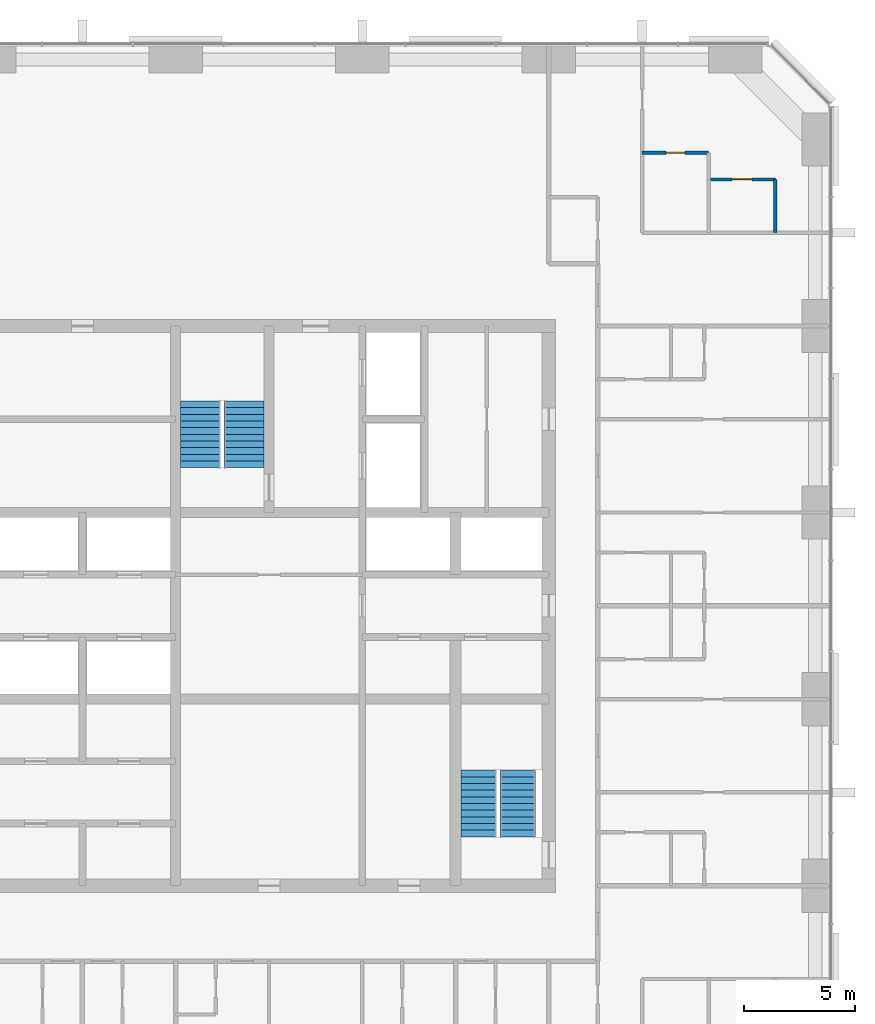
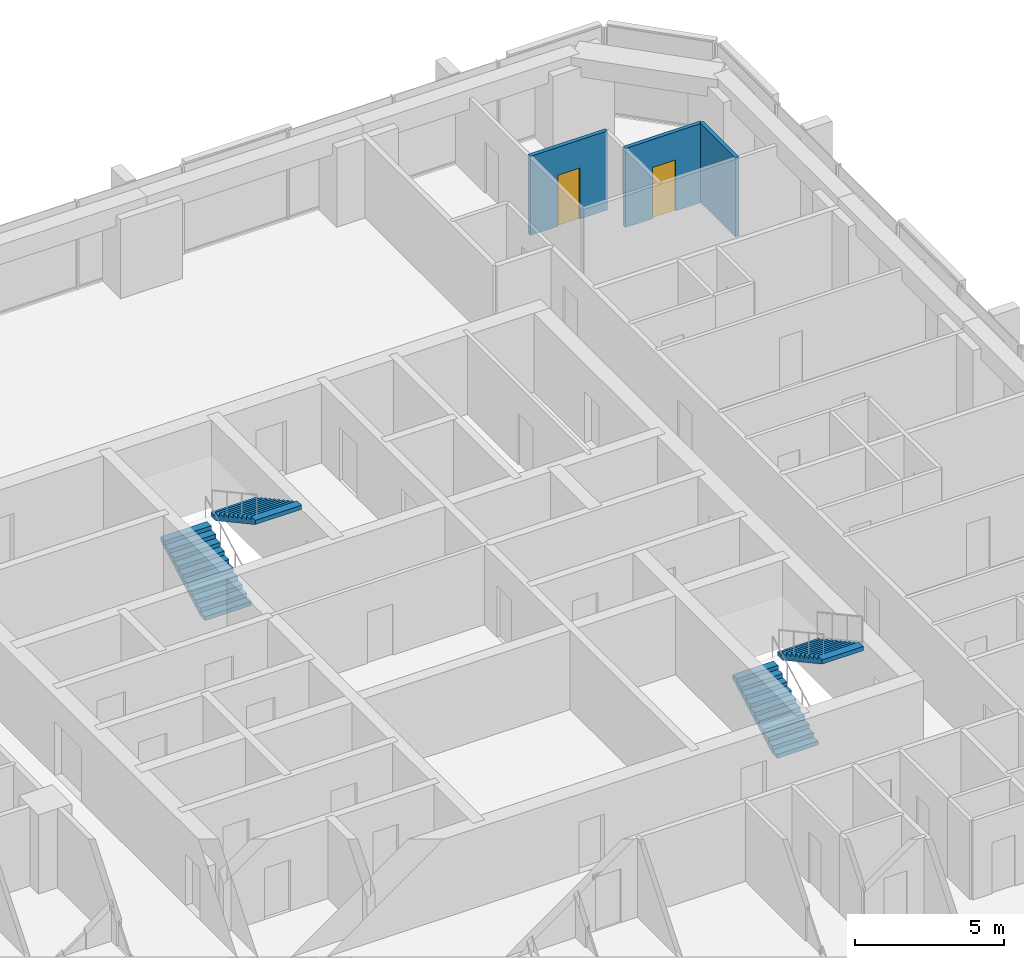
# One storey, part 13 of 14: 4 stair flights, 3 walls, 2 doors, 2 openings, 2 elements without a shape of their own.
"""IFC4 building model written with IfcOpenShell, lengths in metres."""

from ifc_helpers import new_model, si_unit, direction, frame, frame_2d, origin, place, context, subcontext, project, spatial, polyline, rectangle, outline, extrude, material, layer, layer_set, type_object, element, fill, aggregate, save


model = new_model("IFC4")

# Units and contexts
model_context = context("Model", 3, precision=1e-05, world=origin(), true_north=direction((0.0, 1.0)))
body_context = subcontext(model_context, "Body", "Model", "MODEL_VIEW")
ifc_project = project(units=[si_unit("LENGTHUNIT", "METRE"), si_unit("AREAUNIT", "SQUARE_METRE"), si_unit("VOLUMEUNIT", "CUBIC_METRE"), si_unit("PLANEANGLEUNIT", "RADIAN"), si_unit("MASSUNIT", "GRAM", prefix="KILO")], contexts=[model_context])

# Site, building, storey
site_placement = place(None, origin())
site = spatial("IfcSite", under=ifc_project, at=site_placement, CompositionType="ELEMENT")
building_placement = place(site_placement, origin())
building = spatial("IfcBuilding", under=site, at=building_placement, Name="Dunama Terrace Hotel", CompositionType="ELEMENT")
storey_placement = place(building_placement, frame((0.0, 0.0, 198.60009765625)))
storey = spatial("IfcBuildingStorey", under=building, at=storey_placement, Name="L51", CompositionType="ELEMENT", Elevation=198.60009765625)

# Wall, opening, door
ifc_material_1 = material(Name="Gypsum board partition", Category="masonry")
ifc_layer_1 = layer(ifc_material_1, 0.14990234375)
ifc_layer_set_1 = layer_set([ifc_layer_1], Name="Bathroom partition 150")
wall_type_1 = type_object("IfcWallType", Name="Bathroom partition 150", PredefinedType="PARTITIONING", material=ifc_layer_set_1)
wall_1_placement = place(storey_placement, frame((46.199951171875, 49.800048828125, 0.0), z_axis=(0.0, 0.0, 1.0), x_axis=(1.0, 0.0, 0.0)))
wall_1 = element("IfcWall", 1, at=wall_1_placement, inside=storey, type_object=wall_type_1, Name="Bathroom partition 150 L51", PredefinedType="PARTITIONING", context=body_context, shape_type="SweptSolid", body=[
    extrude(rectangle(XDim=3.0, YDim=0.14990234375, at=frame_2d((1.5, 0.0))), origin(), (0.0, 0.0, 1.0), 3.25),
])
opening_1_placement = place(wall_1_placement, frame((1.074951171875, 0.0, 0.0)))
opening_1 = element("IfcOpeningElement", 2, at=opening_1_placement, cuts=wall_1, Name="Opening L51-52-066", PredefinedType="OPENING", context=body_context, shape_type="SweptSolid", body=[
    extrude(rectangle(XDim=0.85009765625, YDim=2.10009765625, at=frame_2d((0.425048828125, 1.050048828125))), frame((0.0, 0.0849609375, 0.0), z_axis=(0.0, -1.0, 0.0), x_axis=(1.0, 0.0, 0.0)), (0.0, 0.0, 1.0), 0.169921875),
])
ifc_material_2 = material(Name="Timber door with steel frame", Category="steel")
door_type_1 = type_object("IfcDoorType", Name="Bathroom door 850", OperationType="SINGLE_SWING_LEFT", PredefinedType="DOOR", material=ifc_material_2)
door_1_placement = place(opening_1_placement, frame((0.85009765625, 0.0, 0.0), z_axis=(0.0, 0.0, 1.0), x_axis=(-1.0, 0.0, 0.0)))
door_1 = element("IfcDoor", 3, at=door_1_placement, inside=storey, type_object=door_type_1, Name="Door to en-suite bathroom L51-52-066, type D2", OperationType="SINGLE_SWING_LEFT", OverallHeight=2.10009765625, OverallWidth=0.85009765625, PredefinedType="DOOR", context=body_context, shape_type="SweptSolid", body=[
    extrude(rectangle(XDim=0.85009765625, YDim=2.10009765625, at=frame_2d((0.425048828125, 1.050048828125))), frame((0.0, 0.025146484375, 0.0), z_axis=(0.0, -1.0, 0.0), x_axis=(1.0, 0.0, 0.0)), (0.0, 0.0, 1.0), 0.050048828125),
])
fill(opening_1, door_1)

# Wall
ifc_material_3 = material(Name="Gypsum board partition", Category="masonry")
ifc_layer_2 = layer(ifc_material_3, 0.14990234375)
ifc_layer_set_2 = layer_set([ifc_layer_2], Name="Room partition 150")
wall_type_2 = type_object("IfcWallType", Name="Room partition 150", PredefinedType="PARTITIONING", material=ifc_layer_set_2)
wall_2_placement = place(storey_placement, frame((52.199951171875, 46.199951171875, 0.0), z_axis=(0.0, 0.0, 1.0), x_axis=(0.0, 1.0, 0.0)))
element("IfcWall", 4, at=wall_2_placement, inside=storey, type_object=wall_type_2, Name="Room partition 150 L51", PredefinedType="PARTITIONING", context=body_context, shape_type="SweptSolid", body=[
    extrude(rectangle(XDim=2.400146484375, YDim=0.14990234375, at=frame_2d((1.2001953125, 0.0))), origin(), (0.0, 0.0, 1.0), 3.25),
])

# Wall, opening, door
wall_3_placement = place(storey_placement, frame((49.199951171875, 48.60009765625, 0.0), z_axis=(0.0, 0.0, 1.0), x_axis=(1.0, 0.0, 0.0)))
wall_3 = element("IfcWall", 5, at=wall_3_placement, inside=storey, type_object=wall_type_2, Name="Room partition 150 L51", PredefinedType="PARTITIONING", context=body_context, shape_type="SweptSolid", body=[
    extrude(rectangle(XDim=3.0, YDim=0.14990234375, at=frame_2d((1.5, 0.0))), origin(), (0.0, 0.0, 1.0), 3.25),
])
opening_2_placement = place(wall_3_placement, frame((1.050048828125, 0.0, 0.0)))
opening_2 = element("IfcOpeningElement", 6, at=opening_2_placement, cuts=wall_3, Name="Opening L51-52-067", PredefinedType="OPENING", context=body_context, shape_type="SweptSolid", body=[
    extrude(rectangle(XDim=0.89990234375, YDim=2.10009765625, at=frame_2d((0.449951171875, 1.050048828125))), frame((0.0, 0.0849609375, 0.0), z_axis=(0.0, -1.0, 0.0), x_axis=(1.0, 0.0, 0.0)), (0.0, 0.0, 1.0), 0.169921875),
])
ifc_material_4 = material(Name="Timber door with steel frame", Category="steel")
door_type_2 = type_object("IfcDoorType", Name="Suite internal door 900", OperationType="SINGLE_SWING_LEFT", PredefinedType="DOOR", material=ifc_material_4)
door_2_placement = place(opening_2_placement, frame((0.89990234375, 0.0, 0.0), z_axis=(0.0, 0.0, 1.0), x_axis=(-1.0, 0.0, 0.0)))
door_2 = element("IfcDoor", 7, at=door_2_placement, inside=storey, type_object=door_type_2, Name="Door to dressing room L51-52-067, type D16", OperationType="SINGLE_SWING_RIGHT", OverallHeight=2.10009765625, OverallWidth=0.89990234375, PredefinedType="DOOR", context=body_context, shape_type="SweptSolid", body=[
    extrude(rectangle(XDim=0.89990234375, YDim=2.10009765625, at=frame_2d((0.449951171875, 1.050048828125))), frame((0.0, 0.025146484375, 0.0), z_axis=(0.0, -1.0, 0.0), x_axis=(1.0, 0.0, 0.0)), (0.0, 0.0, 1.0), 0.050048828125),
])
fill(opening_2, door_2)

# Stair, stair flights
ifc_material_5 = material(Name="Concrete C40/50", Category="concrete")
stair_type_1 = type_object("IfcStairType", Name="Stair ST1-3600-1800", PredefinedType="HALF_TURN_STAIR", material=ifc_material_5)
stair_1_placement = place(storey_placement, origin())
stair_1 = element("IfcStair", 8, at=stair_1_placement, inside=storey, type_object=stair_type_1, Name="Stair ST1 L51", PredefinedType="HALF_TURN_STAIR")
ifc_material_6 = material(Name="Concrete C40/50", Category="concrete")
stair_flight_type_1 = type_object("IfcStairFlightType", Name="Stair flight ST1-3600-1800", PredefinedType="STRAIGHT", material=ifc_material_6)
stair_flight_1_placement = place(storey_placement, frame((26.324951171875, 35.625, 0.0), z_axis=(0.0, 0.0, 1.0), x_axis=(0.0, 1.0, 0.0)))
stair_flight_1 = element("IfcStairFlight", 9, at=stair_flight_1_placement, type_object=stair_flight_type_1, Name="ST1 flight 1", NumberOfRisers=11, NumberOfTreads=10, PredefinedType="STRAIGHT", RiserHeight=0.163636364, TreadLength=0.3, context=body_context, shape_type="SweptSolid", body=[
    extrude(outline(polyline([(0.0, 0.0), (0.0, 0.16357421875), (0.300048828125, 0.16357421875), (0.300048828125, 0.327392578125), (0.60009765625, 0.327392578125), (0.60009765625, 0.490966796875), (0.89990234375, 0.490966796875), (0.89990234375, 0.654541015625), (1.199951171875, 0.654541015625), (1.199951171875, 0.818115234375), (1.5, 0.818115234375), (1.5, 0.98193359375), (1.800048828125, 0.98193359375), (1.800048828125, 1.1455078125), (2.10009765625, 1.1455078125), (2.10009765625, 1.30908203125), (2.39990234375, 1.30908203125), (2.39990234375, 1.47265625), (2.699951171875, 1.47265625), (2.699951171875, 1.636474609375), (3.0, 1.636474609375), (3.0, 1.800048828125), (3.0, 1.465576171875), (0.31298828125, 0.0), (0.0, 0.0)])), frame((0.0, 0.89990234375, 0.0), z_axis=(0.0, -1.0, 0.0), x_axis=(1.0, 0.0, 0.0)), (0.0, 0.0, 1.0), 1.800048828125),
])
stair_flight_2_placement = place(storey_placement, frame((28.27490234375, 38.625, 1.7998046875), z_axis=(0.0, 0.0, 1.0), x_axis=(0.0, -1.0, 0.0)))
stair_flight_2 = element("IfcStairFlight", 10, at=stair_flight_2_placement, type_object=stair_flight_type_1, Name="ST1 flight 2", NumberOfRisers=11, NumberOfTreads=10, PredefinedType="STRAIGHT", RiserHeight=0.163636364, TreadLength=0.3, context=body_context, shape_type="SweptSolid", body=[
    extrude(outline(polyline([(0.0, 0.0), (0.0, 0.16357421875), (0.300048828125, 0.16357421875), (0.300048828125, 0.327392578125), (0.60009765625, 0.327392578125), (0.60009765625, 0.490966796875), (0.89990234375, 0.490966796875), (0.89990234375, 0.654541015625), (1.199951171875, 0.654541015625), (1.199951171875, 0.818115234375), (1.5, 0.818115234375), (1.5, 0.98193359375), (1.800048828125, 0.98193359375), (1.800048828125, 1.1455078125), (2.10009765625, 1.1455078125), (2.10009765625, 1.30908203125), (2.39990234375, 1.30908203125), (2.39990234375, 1.47265625), (2.699951171875, 1.47265625), (2.699951171875, 1.636474609375), (3.0, 1.636474609375), (3.0, 1.800048828125), (3.0, 1.465576171875), (0.31298828125, 0.0), (0.0, 0.0)])), frame((0.0, 0.89990234375, 0.0), z_axis=(0.0, -1.0, 0.0), x_axis=(1.0, 0.0, 0.0)), (0.0, 0.0, 1.0), 1.800048828125),
])
aggregate(stair_1, [stair_flight_1, stair_flight_2])

ifc_material_7 = material(Name="Concrete C40/50", Category="concrete")
stair_type_2 = type_object("IfcStairType", Name="Stair ST2-3600-1600", PredefinedType="HALF_TURN_STAIR", material=ifc_material_7)
stair_2_placement = place(storey_placement, origin())
stair_2 = element("IfcStair", 11, at=stair_2_placement, inside=storey, type_object=stair_type_2, Name="Stair ST2 L51", PredefinedType="HALF_TURN_STAIR")
ifc_material_8 = material(Name="Concrete C40/50", Category="concrete")
stair_flight_type_2 = type_object("IfcStairFlightType", Name="Stair flight ST2-3600-1600", PredefinedType="STRAIGHT", material=ifc_material_8)
stair_flight_3_placement = place(storey_placement, frame((38.85009765625, 19.0, 0.0), z_axis=(0.0, 0.0, 1.0), x_axis=(0.0, 1.0, 0.0)))
stair_flight_3 = element("IfcStairFlight", 12, at=stair_flight_3_placement, type_object=stair_flight_type_2, Name="ST2 flight 1", NumberOfRisers=11, NumberOfTreads=10, PredefinedType="STRAIGHT", RiserHeight=0.163636364, TreadLength=0.3, context=body_context, shape_type="SweptSolid", body=[
    extrude(outline(polyline([(0.0, 0.0), (0.0, 0.16357421875), (0.300048828125, 0.16357421875), (0.300048828125, 0.327392578125), (0.60009765625, 0.327392578125), (0.60009765625, 0.490966796875), (0.89990234375, 0.490966796875), (0.89990234375, 0.654541015625), (1.199951171875, 0.654541015625), (1.199951171875, 0.818115234375), (1.5, 0.818115234375), (1.5, 0.98193359375), (1.800048828125, 0.98193359375), (1.800048828125, 1.1455078125), (2.10009765625, 1.1455078125), (2.10009765625, 1.30908203125), (2.39990234375, 1.30908203125), (2.39990234375, 1.47265625), (2.699951171875, 1.47265625), (2.699951171875, 1.636474609375), (3.0, 1.636474609375), (3.0, 1.800048828125), (3.0, 1.465576171875), (0.31298828125, 0.0), (0.0, 0.0)])), frame((0.0, 0.800048828125, 0.0), z_axis=(0.0, -1.0, 0.0), x_axis=(1.0, 0.0, 0.0)), (0.0, 0.0, 1.0), 1.60009765625),
])
stair_flight_4_placement = place(storey_placement, frame((40.60009765625, 22.0, 1.7998046875), z_axis=(0.0, 0.0, 1.0), x_axis=(0.0, -1.0, 0.0)))
stair_flight_4 = element("IfcStairFlight", 13, at=stair_flight_4_placement, type_object=stair_flight_type_2, Name="ST2 flight 2", NumberOfRisers=11, NumberOfTreads=10, PredefinedType="STRAIGHT", RiserHeight=0.163636364, TreadLength=0.3, context=body_context, shape_type="SweptSolid", body=[
    extrude(outline(polyline([(0.0, 0.0), (0.0, 0.16357421875), (0.300048828125, 0.16357421875), (0.300048828125, 0.327392578125), (0.60009765625, 0.327392578125), (0.60009765625, 0.490966796875), (0.89990234375, 0.490966796875), (0.89990234375, 0.654541015625), (1.199951171875, 0.654541015625), (1.199951171875, 0.818115234375), (1.5, 0.818115234375), (1.5, 0.98193359375), (1.800048828125, 0.98193359375), (1.800048828125, 1.1455078125), (2.10009765625, 1.1455078125), (2.10009765625, 1.30908203125), (2.39990234375, 1.30908203125), (2.39990234375, 1.47265625), (2.699951171875, 1.47265625), (2.699951171875, 1.636474609375), (3.0, 1.636474609375), (3.0, 1.800048828125), (3.0, 1.465576171875), (0.31298828125, 0.0), (0.0, 0.0)])), frame((0.0, 0.800048828125, 0.0), z_axis=(0.0, -1.0, 0.0), x_axis=(1.0, 0.0, 0.0)), (0.0, 0.0, 1.0), 1.60009765625),
])
aggregate(stair_2, [stair_flight_3, stair_flight_4])

save(model, "model.ifc")
